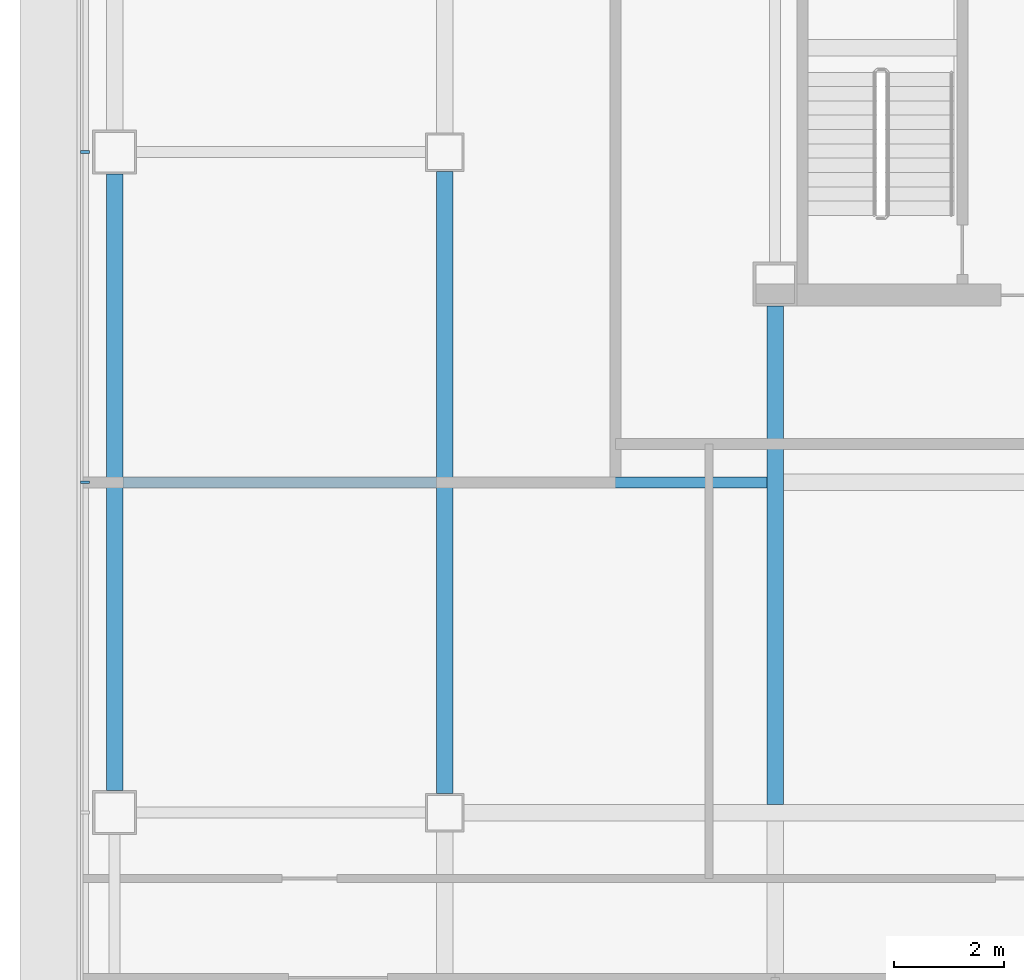
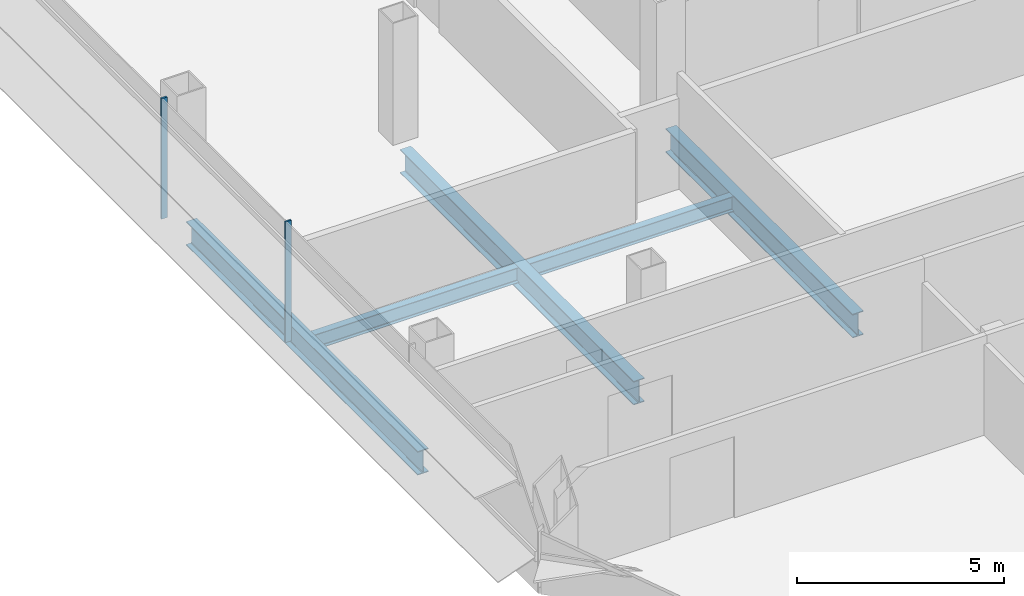
# One storey, part 4 of 26: 5 beams, 2 members, 1 element without a shape of its own.
"""IFC4 building model written with IfcOpenShell, lengths in metres."""

from ifc_helpers import new_model, si_unit, direction, frame, origin, origin_2d, place, context, subcontext, project, spatial, rectangle, i_section, extrude, material, material_profile, profile_set, type_object, element, aggregate, save


model = new_model("IFC4")

# Units and contexts
model_context = context("Model", 3, precision=1e-05, world=origin(), true_north=direction((0.0, 1.0)))
body_context = subcontext(model_context, "Body", "Model", "MODEL_VIEW")
ifc_project = project(units=[si_unit("LENGTHUNIT", "METRE"), si_unit("AREAUNIT", "SQUARE_METRE"), si_unit("VOLUMEUNIT", "CUBIC_METRE"), si_unit("PLANEANGLEUNIT", "RADIAN"), si_unit("MASSUNIT", "GRAM", prefix="KILO")], contexts=[model_context])

# Site, building, storey
site_placement = place(None, origin())
site = spatial("IfcSite", under=ifc_project, at=site_placement, CompositionType="ELEMENT")
building_placement = place(site_placement, origin())
building = spatial("IfcBuilding", under=site, at=building_placement, Name="Sorahane Residences", CompositionType="ELEMENT")
storey_placement = place(building_placement, frame((0.0, 0.0, 110.60009765625)))
storey = spatial("IfcBuildingStorey", under=building, at=storey_placement, Name="L24", CompositionType="ELEMENT", Elevation=110.60009765625)

# Curtain wall, members
ifc_material_1 = material(Name="Dark low-e glass and black anodised aluminium", Category="aluminium")
curtain_wall_type = type_object("IfcCurtainWallType", Name="Curtain wall CW-1 Typical unitised wall", PredefinedType="NOTDEFINED", material=ifc_material_1)
curtain_wall_placement = place(storey_placement, origin())
curtain_wall = element("IfcCurtainWall", 1, at=curtain_wall_placement, inside=storey, type_object=curtain_wall_type, Name="CW-1 curtain wall L24 W1", PredefinedType="NOTDEFINED")
ifc_material_2 = material(Name="Black anodised aluminium", Category="aluminium")
ifc_material_profile_1 = material_profile(ifc_material_2, rectangle(XDim=0.159912109375, YDim=0.050048828125, at=origin_2d()), Name="Curtain wall mullion CW-1 black anodised aluminium 50x160")
ifc_profile_set_1 = profile_set([ifc_material_profile_1], Name="Black anodised aluminium")
member_type = type_object("IfcMemberType", Name="Curtain wall mullion CW-1 black anodised aluminium 50x160", PredefinedType="MULLION", material=ifc_profile_set_1)
member_1_placement = place(storey_placement, frame((-6.5400390625, 24.0, -0.18017578125), z_axis=(0.0, 0.0, 1.0), x_axis=(-1.0, 0.0, 0.0)))
member_1 = element("IfcMember", 2, at=member_1_placement, type_object=member_type, Name="CW-1 mullion L24 W1.4", PredefinedType="MULLION", context=body_context, shape_type="SweptSolid", body=[
    extrude(rectangle(XDim=0.159912109375, YDim=0.050048828125, at=origin_2d()), origin(), (0.0, 0.0, 1.0), 3.56005859375),
])
member_2_placement = place(storey_placement, frame((-6.5400390625, 18.0, -0.18017578125), z_axis=(0.0, 0.0, 1.0), x_axis=(-1.0, 0.0, 0.0)))
member_2 = element("IfcMember", 3, at=member_2_placement, type_object=member_type, Name="CW-1 mullion L24 W1.5", PredefinedType="MULLION", context=body_context, shape_type="SweptSolid", body=[
    extrude(rectangle(XDim=0.159912109375, YDim=0.050048828125, at=origin_2d()), origin(), (0.0, 0.0, 1.0), 3.56005859375),
])
aggregate(curtain_wall, [member_1, member_2])

# Beams
ifc_material_3 = material(Name="Steel Q355B", Category="steel")
ifc_material_profile_2 = material_profile(ifc_material_3, i_section(OverallWidth=0.199951171875, OverallDepth=0.449951171875, WebThickness=0.009033203125, FlangeThickness=0.013916015625, FilletRadius=0.02001953125, at=origin_2d()), Name="HN 450x200x9x14")
ifc_profile_set_2 = profile_set([ifc_material_profile_2], Name="Steel Q355B")
beam_type_1 = type_object("IfcBeamType", Name="Steel floor beam HN 450x200x9x14 Q355B", PredefinedType="BEAM", material=ifc_profile_set_2)
for number, where, z_axis, x_axis, name in (
    (4, (-5.85009765625, 18.0, -0.405029296875), (1.0, 0.0, 0.0), (0.0, 1.0, 0.0), "Beam L24 078"),
    (5, (0.14990234375, 18.0, -0.405029296875), (1.0, 0.0, 0.0), (0.0, 1.0, 0.0), "Beam L24 079"),
):
    element("IfcBeam", number, at=place(storey_placement, frame(where, z_axis=z_axis, x_axis=x_axis)), inside=storey, type_object=beam_type_1, Name=name, PredefinedType="BEAM", context=body_context, shape_type="SweptSolid", body=[
        extrude(i_section(OverallWidth=0.199951171875, OverallDepth=0.449951171875, WebThickness=0.009033203125, FlangeThickness=0.013916015625, FilletRadius=0.02001953125, at=origin_2d()), origin(), (0.0, 0.0, 1.0), 5.7001953125),
    ])
ifc_material_4 = material(Name="Steel Q355B", Category="steel")
ifc_material_profile_3 = material_profile(ifc_material_4, i_section(OverallWidth=0.300048828125, OverallDepth=0.699951171875, WebThickness=0.012939453125, FlangeThickness=0.02392578125, FilletRadius=0.028076171875, at=origin_2d()), Name="HN 700x300x13x24")
ifc_profile_set_3 = profile_set([ifc_material_profile_3], Name="Steel Q355B")
beam_type_2 = type_object("IfcBeamType", Name="Steel floor beam HN 700x300x13x24 Q355B", PredefinedType="BEAM", material=ifc_profile_set_3)
beam_1_placement = place(storey_placement, frame((-6.0, 12.39990234375, -0.530029296875), z_axis=(0.0, 1.0, 0.0), x_axis=(-1.0, 0.0, 0.0)))
element("IfcBeam", 6, at=beam_1_placement, inside=storey, type_object=beam_type_2, Name="Beam L24 021", PredefinedType="BEAM", context=body_context, shape_type="SweptSolid", body=[
    extrude(i_section(OverallWidth=0.300048828125, OverallDepth=0.699951171875, WebThickness=0.012939453125, FlangeThickness=0.02392578125, FilletRadius=0.028076171875, at=origin_2d()), origin(), (0.0, 0.0, 1.0), 11.2001953125),
])
beam_2_placement = place(storey_placement, frame((0.0, 12.35009765625, -0.530029296875), z_axis=(0.0, 1.0, 0.0), x_axis=(-1.0, 0.0, 0.0)))
element("IfcBeam", 7, at=beam_2_placement, inside=storey, type_object=beam_type_2, Name="Beam L24 025", PredefinedType="BEAM", context=body_context, shape_type="SweptSolid", body=[
    extrude(i_section(OverallWidth=0.300048828125, OverallDepth=0.699951171875, WebThickness=0.012939453125, FlangeThickness=0.02392578125, FilletRadius=0.028076171875, at=origin_2d()), origin(), (0.0, 0.0, 1.0), 11.2998046875),
])
beam_3_placement = place(storey_placement, frame((6.0, 12.14990234375, -0.530029296875), z_axis=(0.0, 1.0, 0.0), x_axis=(-1.0, 0.0, 0.0)))
element("IfcBeam", 8, at=beam_3_placement, inside=storey, type_object=beam_type_2, Name="Beam L24 029", PredefinedType="BEAM", context=body_context, shape_type="SweptSolid", body=[
    extrude(i_section(OverallWidth=0.300048828125, OverallDepth=0.699951171875, WebThickness=0.012939453125, FlangeThickness=0.02392578125, FilletRadius=0.028076171875, at=origin_2d()), origin(), (0.0, 0.0, 1.0), 9.050048828125),
])

save(model, "model.ifc")
